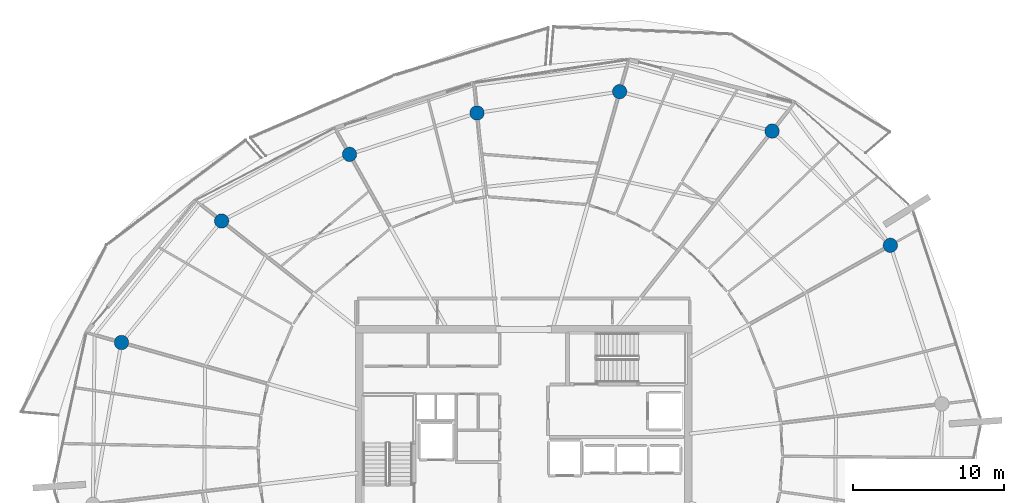
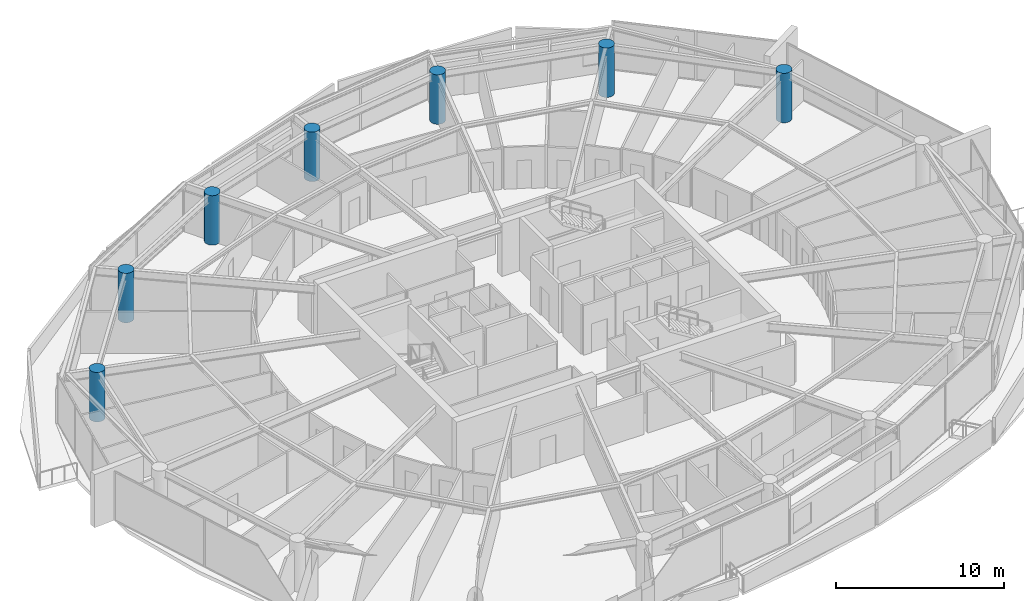
# One storey, part 4 of 29: 7 columns.
"""IFC4 building model written with IfcOpenShell, lengths in metres."""

from ifc_helpers import new_model, si_unit, direction, frame, origin, origin_2d, place, context, subcontext, project, spatial, circle, extrude, material, material_profile, profile_set, type_object, element, save


model = new_model("IFC4")

# Units and contexts
model_context = context("Model", 3, precision=1e-05, world=origin(), true_north=direction((0.0, 1.0)))
body_context = subcontext(model_context, "Body", "Model", "MODEL_VIEW")
ifc_project = project(units=[si_unit("LENGTHUNIT", "METRE"), si_unit("AREAUNIT", "SQUARE_METRE"), si_unit("VOLUMEUNIT", "CUBIC_METRE"), si_unit("PLANEANGLEUNIT", "RADIAN"), si_unit("MASSUNIT", "GRAM", prefix="KILO")], contexts=[model_context])

# Site, building, storey
site_placement = place(None, origin())
site = spatial("IfcSite", under=ifc_project, at=site_placement, CompositionType="ELEMENT")
building_placement = place(site_placement, origin())
building = spatial("IfcBuilding", under=site, at=building_placement, Name="Kazma Halo Residences", CompositionType="ELEMENT")
storey_placement = place(building_placement, frame((0.0, 0.0, 286.75)))
storey = spatial("IfcBuildingStorey", under=building, at=storey_placement, Name="L72", CompositionType="ELEMENT", Elevation=286.75)

# Columns
ifc_material = material(Name="Concrete C60/75", Category="concrete")
ifc_material_profile = material_profile(ifc_material, circle(Radius=0.47509765625, at=origin_2d()), Name="CIRC950")
ifc_profile_set = profile_set([ifc_material_profile], Name="Concrete C60/75")
column_type = type_object("IfcColumnType", Name="COL-PERIM-950", PredefinedType="COLUMN", material=ifc_profile_set)
for number, where, z_axis, x_axis, name in (
    (1, (72.67041015625, 55.81591796875, 0.0), (0.0, 0.0, 1.0), (1.0, 0.0, 0.0), "L72 perimeter ring column P01"),
    (2, (64.84716796875, 63.37060546875, 0.0), (0.0, 0.0, 1.0), (1.0, 0.0, 0.0), "L72 perimeter ring column P02"),
    (3, (54.762939453125, 65.9794921875, 0.0), (0.0, 0.0, 1.0), (1.0, 0.0, 0.0), "L72 perimeter ring column P03"),
    (4, (45.32861328125, 64.57080078125, 0.0), (0.0, 0.0, 1.0), (1.0, 0.0, 0.0), "L72 perimeter ring column P04"),
    (5, (36.89453125, 61.830322265625, 0.0), (0.0, 0.0, 1.0), (1.0, 0.0, 0.0), "L72 perimeter ring column P05"),
    (6, (28.433837890625, 57.4248046875, 0.0), (0.0, 0.0, 1.0), (1.0, 0.0, 0.0), "L72 perimeter ring column P06"),
    (7, (21.80908203125, 49.38671875, 0.0), (0.0, 0.0, 1.0), (1.0, 0.0, 0.0), "L72 perimeter ring column P07"),
):
    element("IfcColumn", number, at=place(storey_placement, frame(where, z_axis=z_axis, x_axis=x_axis)), inside=storey, type_object=column_type, Name=name, PredefinedType="COLUMN", context=body_context, shape_type="SweptSolid", body=[
        extrude(circle(Radius=0.47509765625, at=origin_2d()), origin(), (0.0, 0.0, 1.0), 3.590087890625),
    ])

save(model, "model.ifc")
